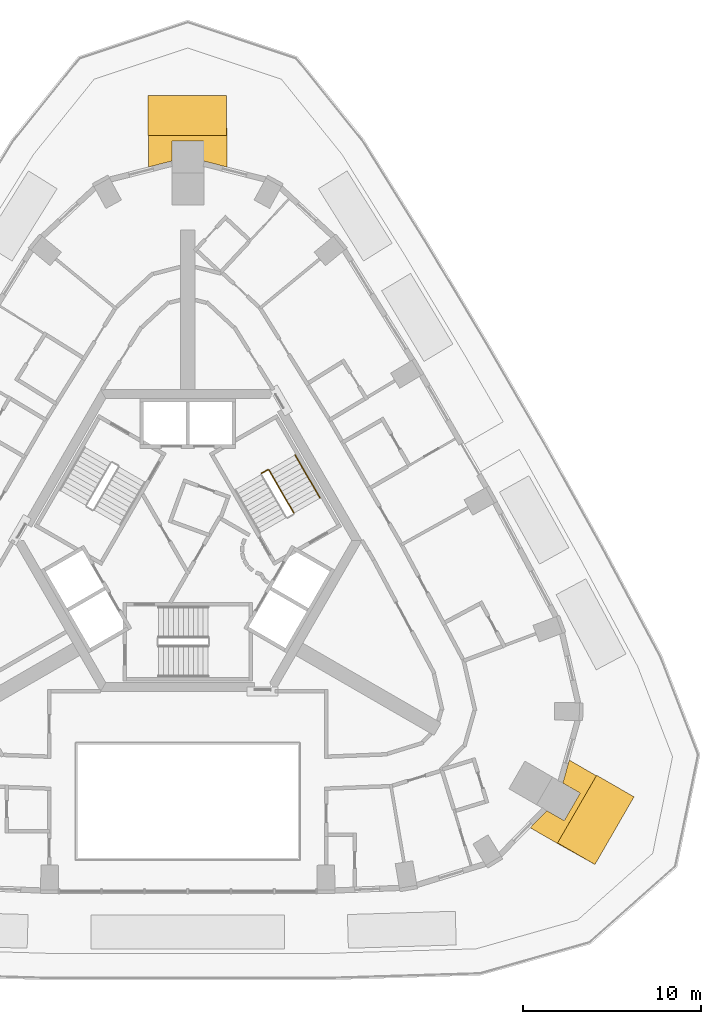
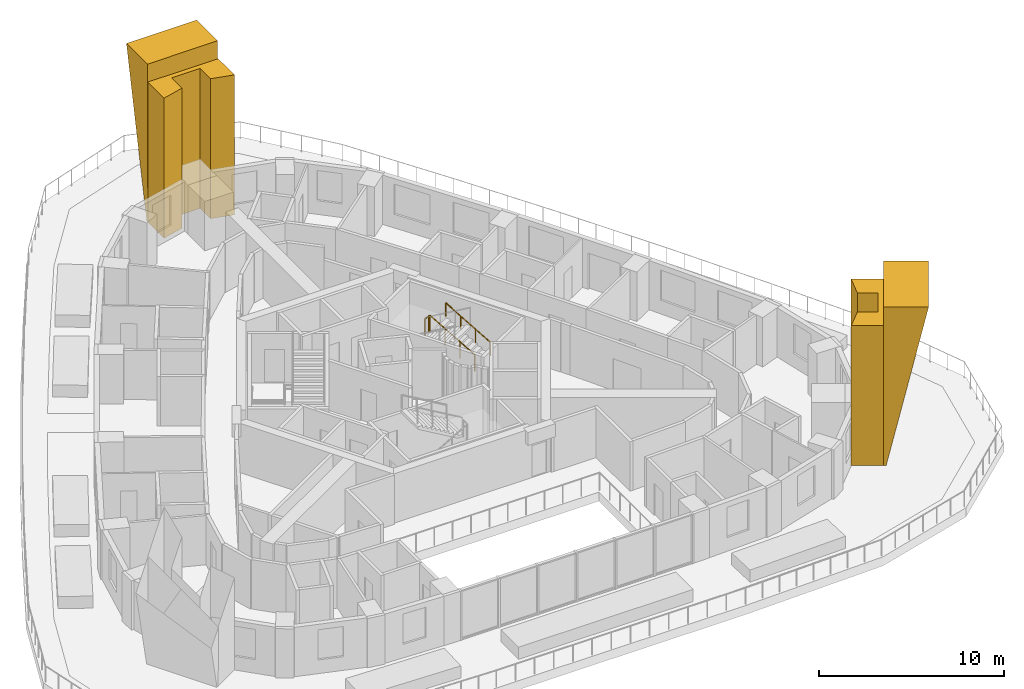
# One storey, part 12 of 12: 4 coverings, 3 railings.
"""IFC4 building model written with IfcOpenShell, lengths in metres."""

import ifcopenshell
import ifcopenshell.guid

model = None  # the IFC model being written
_history = None  # IfcOwnerHistory: only IFC2X3 demands one
_inside = {}  # id of a spatial element -> (the spatial element, [elements in it])
_under = {}  # id of a project, library or spatial element -> (it, [spatial elements below it])
_declared = {}  # id of a project -> (the project, [libraries it declares])
_typed = {}  # id of a type object -> (the type object, [elements of that type])
_made_of = {}  # id of a material, layer set ... -> (it, [elements and type objects made of it])


def new_model(schema):
    """Start an empty IFC model of exactly this schema.

    Asked for "IFC4X3", IfcOpenShell would pick the latest addendum, in which some entities
    have other attributes; the version numbers below select the first issue.
    IFC2X3 requires an IfcOwnerHistory on every rooted entity: one is made here for all.
    """
    global model, _history
    if schema == "IFC4X3":
        model = ifcopenshell.file(schema_version=(4, 3, 0, 0))
    else:
        model = ifcopenshell.file(schema=schema)
    _inside.clear()
    _under.clear()
    _declared.clear()
    _typed.clear()
    _made_of.clear()
    _history = None
    if model.schema == "IFC2X3":
        org = make("IfcOrganization", Name="unknown")
        user = make(
            "IfcPersonAndOrganization",
            ThePerson=make("IfcPerson", FamilyName="unknown"),
            TheOrganization=org,
        )
        app = make(
            "IfcApplication",
            ApplicationDeveloper=org,
            Version="unknown",
            ApplicationFullName="unknown",
            ApplicationIdentifier="unknown",
        )
        _history = make(
            "IfcOwnerHistory",
            OwningUser=user,
            OwningApplication=app,
            ChangeAction="ADDED",
            CreationDate=0,
        )
    return model


def make(cls, **values):
    """One entity of the class cls with the attributes given. An attribute that is None is left unset."""
    return model.create_entity(
        cls, **{name: value for name, value in values.items() if value is not None}
    )


def rooted(cls, **values):
    """An entity with a GlobalId (a new one), such as an element, a storey or a relation."""
    return make(cls, GlobalId=ifcopenshell.guid.new(), OwnerHistory=_history, **values)


def si_unit(unit_type, name, prefix=None):
    """IfcSIUnit, for example si_unit("LENGTHUNIT", "METRE", prefix="MILLI")."""
    return make("IfcSIUnit", UnitType=unit_type, Prefix=prefix, Name=name)


def assignment(units):
    """IfcUnitAssignment: the units of a project."""
    return None if units is None else make("IfcUnitAssignment", Units=units)


def point(xyz):
    """IfcCartesianPoint."""
    return None if xyz is None else make("IfcCartesianPoint", Coordinates=xyz)


def direction(xyz):
    """IfcDirection."""
    return None if xyz is None else make("IfcDirection", DirectionRatios=xyz)


def frame(location, z_axis=None, x_axis=None):
    """IfcAxis2Placement3D, a coordinate frame: its origin and axes. An axis left out is left unset."""
    return make(
        "IfcAxis2Placement3D",
        Location=point(location),
        Axis=direction(z_axis),
        RefDirection=direction(x_axis),
    )


def frame_2d(location, x_axis=None):
    """IfcAxis2Placement2D, a coordinate frame in the plane: its origin and x axis."""
    return make(
        "IfcAxis2Placement2D", Location=point(location), RefDirection=direction(x_axis)
    )


def origin():
    """The frame at (0, 0, 0) with its axes left unset."""
    return frame((0.0, 0.0, 0.0))


def origin_2d():
    """The frame at (0, 0) in the plane with its x axis left unset."""
    return frame_2d((0.0, 0.0))


def place(relative_to, where):
    """IfcLocalPlacement: puts the frame where relative to a parent placement (None: the world)."""
    return make(
        "IfcLocalPlacement", PlacementRelTo=relative_to, RelativePlacement=where
    )


def context(
    kind, dimensions, precision=None, world=None, true_north=None, identifier=None
):
    """IfcGeometricRepresentationContext, for example the 3D "Model" context."""
    return make(
        "IfcGeometricRepresentationContext",
        ContextIdentifier=identifier,
        ContextType=kind,
        CoordinateSpaceDimension=dimensions,
        Precision=precision,
        WorldCoordinateSystem=world,
        TrueNorth=true_north,
    )


def subcontext(parent, identifier, kind, view, scale=None):
    """IfcGeometricRepresentationSubContext, for example "Body" below "Model"."""
    return make(
        "IfcGeometricRepresentationSubContext",
        ContextIdentifier=identifier,
        ContextType=kind,
        ParentContext=parent,
        TargetScale=scale,
        TargetView=view,
    )


def project(units=None, contexts=None):
    """IfcProject with its units and contexts."""
    return rooted(
        "IfcProject",
        Name="project",
        RepresentationContexts=contexts,
        UnitsInContext=assignment(units),
    )


def spatial(cls, under=None, at=None, **own):
    """A site, building, storey or space (cls), placed at a placement, below another one or the project."""
    s = rooted(cls, ObjectPlacement=at, **own)
    if under is not None:
        _under.setdefault(under.id(), (under, []))[1].append(s)
    return s


def polyline(points):
    """IfcPolyline through the points."""
    return make("IfcPolyline", Points=[point(p) for p in points])


def profile(cls, at=None, kind="AREA", **sizes):
    """A parametric profile (cls). Its sizes go by their IFC names, for example OverallWidth=200.0."""
    return make(cls, ProfileType=kind, Position=at, **sizes)


def circle(**sizes):
    """IfcCircleProfileDef."""
    return profile("IfcCircleProfileDef", **sizes)


def outline(outer, holes=None, kind="AREA"):
    """IfcArbitraryClosedProfileDef: a profile drawn as a closed curve; with holes, ...WithVoids."""
    if holes is None:
        return make("IfcArbitraryClosedProfileDef", ProfileType=kind, OuterCurve=outer)
    return make(
        "IfcArbitraryProfileDefWithVoids",
        ProfileType=kind,
        OuterCurve=outer,
        InnerCurves=holes,
    )


def extrude(swept, where, along, depth):
    """IfcExtrudedAreaSolid: the profile swept, set in the frame where, extruded along a direction by depth."""
    return make(
        "IfcExtrudedAreaSolid",
        SweptArea=swept,
        Position=where,
        ExtrudedDirection=direction(along),
        Depth=depth,
    )


def shape(context_of_items, identifier, shape_type, items):
    """IfcShapeRepresentation: the items that make up one representation, for example the "Body"."""
    return make(
        "IfcShapeRepresentation",
        ContextOfItems=context_of_items,
        RepresentationIdentifier=identifier,
        RepresentationType=shape_type,
        Items=items,
    )


def material(Name=None, Category=None):
    """IfcMaterial."""
    return make("IfcMaterial", Name=Name, Category=Category)


def made_of(thing, what):
    """Note that an element or type object is made of a material, layer set ...; save() writes the relation."""
    if what is not None:
        _made_of.setdefault(what.id(), (what, []))[1].append(thing)
    return thing


def type_object(cls, material=None, **own):
    """A type object (cls), such as IfcWallType, which elements share."""
    return made_of(rooted(cls, **own), material)


def element(
    cls,
    number,
    at=None,
    inside=None,
    cuts=None,
    type_object=None,
    material=None,
    context=None,
    identifier="Body",
    shape_type=None,
    held_by="IfcProductDefinitionShape",
    body=None,
    shapes=None,
    **own,
):
    """One element of the class cls, such as IfcWall. Its Tag is "e" and its number.

    at: its placement. inside: the storey or other place that contains it. cuts: it is an
    opening in that element (IfcRelVoidsElement). A single representation is given by context,
    identifier, shape_type and body (its items); several are given by shapes. held_by: the class
    of the entity that holds the representations. save() writes the other relations.
    """
    e = rooted(cls, Tag="e%d" % number, ObjectPlacement=at, **own)
    if body is not None:
        shapes = [shape(context, identifier, shape_type, body)]
    if shapes is not None:
        e.Representation = make(held_by, Representations=shapes)
    if inside is not None:
        _inside.setdefault(inside.id(), (inside, []))[1].append(e)
    if cuts is not None:
        rooted(
            "IfcRelVoidsElement", RelatingBuildingElement=cuts, RelatedOpeningElement=e
        )
    if type_object is not None:
        _typed.setdefault(type_object.id(), (type_object, []))[1].append(e)
    return made_of(e, material)


def aggregate(whole, parts):
    """IfcRelAggregates: a whole, such as a stair, and the parts it consists of."""
    return rooted("IfcRelAggregates", RelatingObject=whole, RelatedObjects=parts)


def save(model, path):
    """Write the relations noted so far, then the file.

    IfcRelAggregates (storeys below a building ...), IfcRelContainedInSpatialStructure (elements
    in a storey), IfcRelDefinesByType, IfcRelAssociatesMaterial and IfcRelDeclares: one each for
    every whole, place, type object, material and project.
    """
    for whole, parts in _under.values():
        aggregate(whole, parts)
    for where, things in _inside.values():
        rooted(
            "IfcRelContainedInSpatialStructure",
            RelatedElements=things,
            RelatingStructure=where,
        )
    for kind, things in _typed.values():
        rooted("IfcRelDefinesByType", RelatedObjects=things, RelatingType=kind)
    for what, things in _made_of.values():
        rooted("IfcRelAssociatesMaterial", RelatedObjects=things, RelatingMaterial=what)
    for by, libraries in _declared.values():
        rooted("IfcRelDeclares", RelatingContext=by, RelatedDefinitions=libraries)
    model.write(path)


model = new_model("IFC4")

# Units and contexts
model_context = context("Model", 3, precision=1e-05, world=origin(), true_north=direction((0.0, 1.0)))
body_context = subcontext(model_context, "Body", "Model", "MODEL_VIEW")
ifc_project = project(units=[si_unit("LENGTHUNIT", "METRE"), si_unit("AREAUNIT", "SQUARE_METRE"), si_unit("VOLUMEUNIT", "CUBIC_METRE"), si_unit("PLANEANGLEUNIT", "RADIAN"), si_unit("MASSUNIT", "GRAM", prefix="KILO")], contexts=[model_context])

# Site, building, storey
site_placement = place(None, origin())
site = spatial("IfcSite", under=ifc_project, at=site_placement, CompositionType="ELEMENT")
building_placement = place(site_placement, origin())
building = spatial("IfcBuilding", under=site, at=building_placement, Name="Entoto Arch Interchange Tower", CompositionType="ELEMENT")
storey_placement = place(building_placement, frame((0.0, 0.0, 286.39990234375)))
storey = spatial("IfcBuildingStorey", under=building, at=storey_placement, Name="L66", CompositionType="ELEMENT", Elevation=286.39990234375)

# Coverings
ifc_material_1 = material(Name="Board-marked precast concrete C50/60", Category="concrete")
covering_type = type_object("IfcCoveringType", Name="PRECAST FRAME COURSE", PredefinedType="CLADDING", material=ifc_material_1)
covering_1_placement = place(storey_placement, origin())
element("IfcCovering", 1, at=covering_1_placement, inside=storey, type_object=covering_type, Name="Corner pilaster SE L66-L68", PredefinedType="CLADDING", context=body_context, shape_type="SweptSolid", body=[
    extrude(outline(polyline([(23.01708984375, -10.7490234375), (20.81689453125, -14.55908203125), (19.2919921875, -13.678955078125), (20.22900390625, -12.718994140625), (21.20703125, -13.282958984375), (22.10693359375, -11.72509765625), (21.12890625, -11.159912109375), (21.491943359375, -9.867919921875), (23.01708984375, -10.7490234375)])), origin(), (0.0, 0.0, 1.0), 9.260009765625),
])
covering_2_placement = place(storey_placement, origin())
element("IfcCovering", 2, at=covering_2_placement, inside=storey, type_object=covering_type, Name="Corner pilaster N L66-L68", PredefinedType="CLADDING", context=body_context, shape_type="SweptSolid", body=[
    extrude(outline(polyline([(-2.199951171875, 25.30810546875), (2.199951171875, 25.30810546875), (2.199951171875, 23.547119140625), (0.89990234375, 23.87890625), (0.89990234375, 25.008056640625), (-0.89990234375, 25.008056640625), (-0.89990234375, 23.87890625), (-2.199951171875, 23.547119140625), (-2.199951171875, 25.30810546875)])), origin(), (0.0, 0.0, 1.0), 9.260009765625),
])
covering_3_placement = place(storey_placement, frame((20.81689453125, -14.55908203125, 0.0), z_axis=(-0.50012444791, -0.865948276971, 0.003019637995), x_axis=(0.865952222852, -0.500126731675, -1.387791e-06)))
element("IfcCovering", 3, at=covering_3_placement, inside=storey, type_object=covering_type, Name="Corner rib SE L66-L68", PredefinedType="CLADDING", context=body_context, shape_type="SweptSolid", body=[
    extrude(outline(polyline([(0.0, 0.0), (0.13169773086525635, 0.0), (2.430050371015203, 10.460256140070431), (0.00038557607277182215, 10.460252585418793), (0.0, 0.0)])), origin(), (0.0, 0.0, -1.0), 4.39990234375),
])
covering_4_placement = place(storey_placement, frame((2.199951171875, 25.30810546875, 0.0), z_axis=(0.999995606868, 0.0, 0.00296416016), x_axis=(0.0, 1.0, 0.0)))
element("IfcCovering", 4, at=covering_4_placement, inside=storey, type_object=covering_type, Name="Corner rib N L66-L68", PredefinedType="CLADDING", context=body_context, shape_type="SweptSolid", body=[
    extrude(outline(polyline([(0.0, 0.0), (0.122802734375, 0.0), (2.261962890625, 10.46025103139249), (0.0, 10.46025103139249), (0.0, 0.0)])), origin(), (0.0, 0.0, -1.0), 4.39990234375),
])

# Railings
ifc_material_2 = material(Name="Stainless steel 1.4301", Category="steel")
railing_type_1 = type_object("IfcRailingType", Name="STAIR GUARD 1100 STEEL", PredefinedType="GUARDRAIL", material=ifc_material_2)
railing_1_placement = place(storey_placement, frame((5.977783203125, 4.046142578125, 0.163818359375)))
element("IfcRailing", 5, at=railing_1_placement, inside=storey, type_object=railing_type_1, Name="L66 ST-NE stair guard 1", PredefinedType="GUARDRAIL", context=body_context, shape_type="SweptSolid", body=[
    extrude(circle(Radius=0.02392578125, at=origin_2d()), frame((0.0, 0.0, 1.076171875), z_axis=(-0.431677027627, 0.74771821388, 0.504551698492), x_axis=(-0.866034573852, -0.49998411664, 0.0)), (0.0, 0.0, 1.0), 3.242919921875),
    extrude(circle(Radius=0.02099609375, at=origin_2d()), origin(), (0.0, 0.0, 1.0), 1.052001953125),
    extrude(circle(Radius=0.02099609375, at=origin_2d()), frame((-0.466552734375, 0.808349609375, 0.54541015625)), (0.0, 0.0, 1.0), 1.052001953125),
    extrude(circle(Radius=0.02099609375, at=origin_2d()), frame((-0.933349609375, 1.616455078125, 1.0908203125)), (0.0, 0.0, 1.0), 1.052001953125),
    extrude(circle(Radius=0.02099609375, at=origin_2d()), frame((-1.39990234375, 2.4248046875, 1.63623046875)), (0.0, 0.0, 1.0), 1.052001953125),
])
railing_2_placement = place(storey_placement, frame((4.509521484375, 6.4892578125, 1.800048828125)))
element("IfcRailing", 6, at=railing_2_placement, inside=storey, type_object=railing_type_1, Name="L66 ST-NE stair guard 2", PredefinedType="GUARDRAIL", context=body_context, shape_type="SweptSolid", body=[
    extrude(circle(Radius=0.02392578125, at=origin_2d()), frame((0.0, 0.0, 1.076171875), z_axis=(-0.866094119867, -0.499880961361, 0.0), x_axis=(0.499880961361, -0.866094119867, 0.0)), (0.0, 0.0, 1.0), 0.39990234375),
    extrude(circle(Radius=0.02099609375, at=origin_2d()), origin(), (0.0, 0.0, 1.0), 1.052001953125),
    extrude(circle(Radius=0.02099609375, at=origin_2d()), frame((-0.346435546875, -0.199951171875, 0.0)), (0.0, 0.0, 1.0), 1.052001953125),
])
railing_type_2 = type_object("IfcRailingType", Name="STAIR HANDRAIL 900 STEEL", PredefinedType="HANDRAIL", material=ifc_material_2)
railing_3_placement = place(storey_placement, frame((7.4501953125, 4.89599609375, 0.163818359375)))
element("IfcRailing", 7, at=railing_3_placement, inside=storey, type_object=railing_type_2, Name="L66 ST-NE stair handrail 1", PredefinedType="HANDRAIL", context=body_context, shape_type="SweptSolid", body=[
    extrude(circle(Radius=0.02392578125, at=origin_2d()), frame((0.0, 0.0, 0.8759765625), z_axis=(-0.431713979052, 0.747727106176, 0.504506902808), x_axis=(-0.866018616679, -0.500011755427, 0.0)), (0.0, 0.0, 1.0), 3.2431640625),
    extrude(circle(Radius=0.02099609375, at=origin_2d()), origin(), (0.0, 0.0, 1.0), 0.851806640625),
    extrude(circle(Radius=0.02099609375, at=origin_2d()), frame((-0.466796875, 0.808349609375, 0.54541015625)), (0.0, 0.0, 1.0), 0.851806640625),
    extrude(circle(Radius=0.02099609375, at=origin_2d()), frame((-0.933349609375, 1.61669921875, 1.0908203125)), (0.0, 0.0, 1.0), 0.851806640625),
    extrude(circle(Radius=0.02099609375, at=origin_2d()), frame((-1.400146484375, 2.425048828125, 1.63623046875)), (0.0, 0.0, 1.0), 0.851806640625),
])

save(model, "model.ifc")
